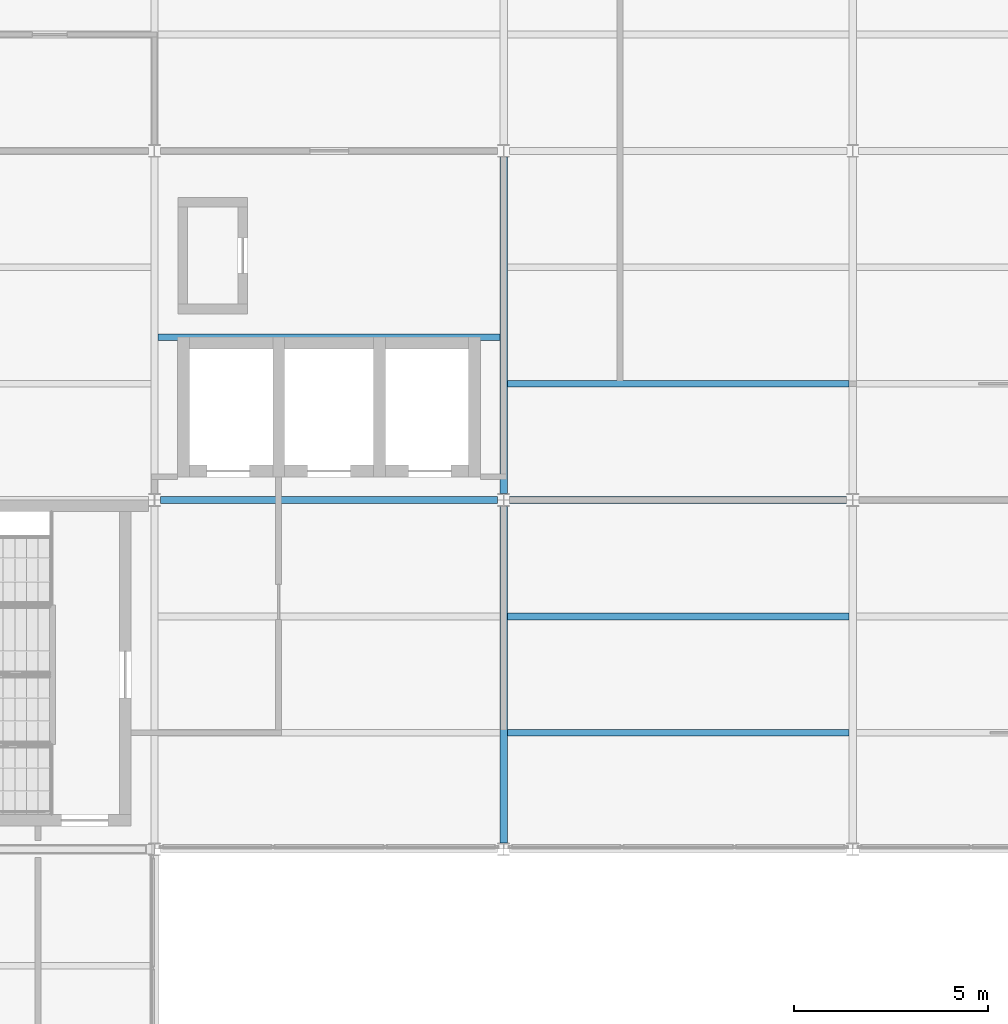
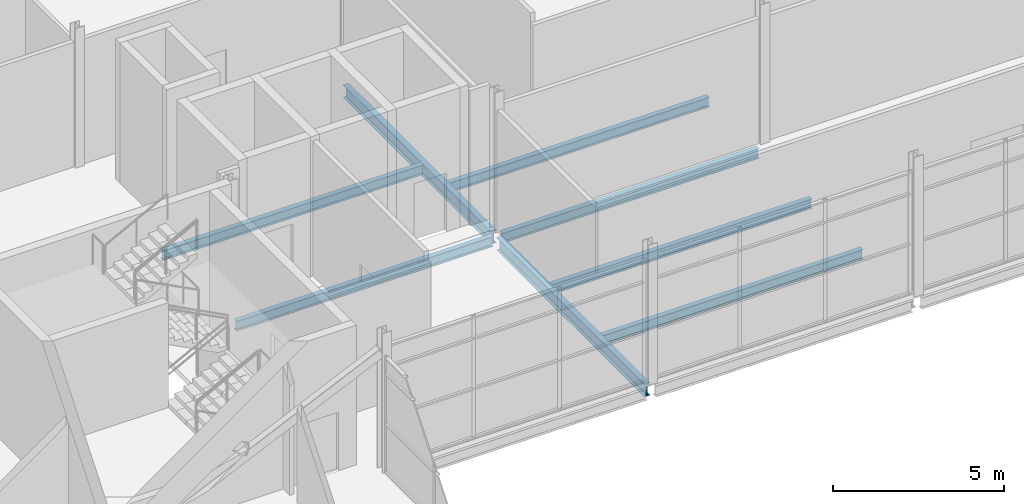
# One storey, part 45 of 112: 8 beams.
"""IFC4 building model written with IfcOpenShell, lengths in metres."""

from ifc_helpers import new_model, si_unit, direction, frame, origin, origin_2d, place, context, subcontext, project, spatial, i_section, extrude, material, material_profile, profile_set, type_object, element, save


model = new_model("IFC4")

# Units and contexts
model_context = context("Model", 3, precision=1e-05, world=origin(), true_north=direction((0.0, 1.0)))
body_context = subcontext(model_context, "Body", "Model", "MODEL_VIEW")
ifc_project = project(units=[si_unit("LENGTHUNIT", "METRE"), si_unit("AREAUNIT", "SQUARE_METRE"), si_unit("VOLUMEUNIT", "CUBIC_METRE"), si_unit("PLANEANGLEUNIT", "RADIAN"), si_unit("MASSUNIT", "GRAM", prefix="KILO")], contexts=[model_context])

# Site, building, storey
site_placement = place(None, origin())
site = spatial("IfcSite", under=ifc_project, at=site_placement, CompositionType="ELEMENT")
building_placement = place(site_placement, origin())
building = spatial("IfcBuilding", under=site, at=building_placement, Name="Shorebreak Coast Museum", CompositionType="ELEMENT")
storey_placement = place(building_placement, frame((0.0, 0.0, 6.0)))
storey = spatial("IfcBuildingStorey", under=building, at=storey_placement, Name="L01", CompositionType="ELEMENT", Elevation=6.0)

# Beams
ifc_material_1 = material(Name="Steel Grade 300", Category="steel")
ifc_material_profile_1 = material_profile(ifc_material_1, i_section(OverallWidth=0.172119140625, OverallDepth=0.358642578125, WebThickness=0.008056640625, FlangeThickness=0.012939453125, FilletRadius=0.011474609375, at=origin_2d()), Name="360UB56.7")
ifc_profile_set_1 = profile_set([ifc_material_profile_1], Name="Steel Grade 300")
beam_type_1 = type_object("IfcBeamType", Name="Floor girder east-west 360UB56.7", PredefinedType="BEAM", material=ifc_profile_set_1)
for number, where, z_axis, x_axis, name in (
    (1, (63.155517578125, 90.0, -0.354248046875), (1.0, 0.0, 0.0), (0.0, 1.0, 0.0), "Floor girder east-west L01 8L"),
    (2, (72.155517578125, 90.0, -0.354248046875), (1.0, 0.0, 0.0), (0.0, 1.0, 0.0), "Floor girder east-west L01 9L"),
):
    element("IfcBeam", number, at=place(storey_placement, frame(where, z_axis=z_axis, x_axis=x_axis)), inside=storey, type_object=beam_type_1, Name=name, PredefinedType="BEAM", context=body_context, shape_type="SweptSolid", body=[
        extrude(i_section(OverallWidth=0.172119140625, OverallDepth=0.358642578125, WebThickness=0.008056640625, FlangeThickness=0.012939453125, FilletRadius=0.011474609375, at=origin_2d()), origin(), (0.0, 0.0, 1.0), 8.68896484375),
    ])
ifc_material_2 = material(Name="Steel Grade 300", Category="steel")
ifc_material_profile_2 = material_profile(ifc_material_2, i_section(OverallWidth=0.19091796875, OverallDepth=0.46044921875, WebThickness=0.010009765625, FlangeThickness=0.01611328125, FilletRadius=0.011474609375, at=origin_2d()), Name="460UB82.1")
ifc_profile_set_2 = profile_set([ifc_material_profile_2], Name="Steel Grade 300")
beam_type_2 = type_object("IfcBeamType", Name="Floor girder north-south 460UB82.1", PredefinedType="BEAM", material=ifc_profile_set_2)
beam_1_placement = place(storey_placement, frame((72.0, 81.16357421875, -0.4052734375), z_axis=(0.0, 1.0, 0.0), x_axis=(-1.0, 0.0, 0.0)))
element("IfcBeam", 3, at=beam_1_placement, inside=storey, type_object=beam_type_2, Name="Floor girder north-south L01 9K", PredefinedType="BEAM", context=body_context, shape_type="SweptSolid", body=[
    extrude(i_section(OverallWidth=0.19091796875, OverallDepth=0.46044921875, WebThickness=0.010009765625, FlangeThickness=0.01611328125, FilletRadius=0.011474609375, at=origin_2d()), origin(), (0.0, 0.0, 1.0), 8.6728515625),
])
beam_2_placement = place(storey_placement, frame((72.0, 90.16357421875, -0.4052734375), z_axis=(0.0, 1.0, 0.0), x_axis=(-1.0, 0.0, 0.0)))
element("IfcBeam", 4, at=beam_2_placement, inside=storey, type_object=beam_type_2, Name="Floor girder north-south L01 9L", PredefinedType="BEAM", context=body_context, shape_type="SweptSolid", body=[
    extrude(i_section(OverallWidth=0.19091796875, OverallDepth=0.46044921875, WebThickness=0.010009765625, FlangeThickness=0.01611328125, FilletRadius=0.011474609375, at=origin_2d()), origin(), (0.0, 0.0, 1.0), 8.676025390625),
])
ifc_material_3 = material(Name="Steel Grade 300", Category="steel")
ifc_material_profile_3 = material_profile(ifc_material_3, i_section(OverallWidth=0.1708984375, OverallDepth=0.35205078125, WebThickness=0.0068359375, FlangeThickness=0.009765625, FilletRadius=0.011474609375, at=origin_2d()), Name="360UB44.7")
ifc_profile_set_3 = profile_set([ifc_material_profile_3], Name="Steel Grade 300")
beam_type_3 = type_object("IfcBeamType", Name="Floor joist 360UB44.7", PredefinedType="JOIST", material=ifc_profile_set_3)
for number, where, z_axis, x_axis, name in (
    (5, (72.095458984375, 84.0, -0.35107421875), (1.0, 0.0, 0.0), (0.0, 1.0, 0.0), "Floor joist L01 bay 9K at 3000 mm"),
    (6, (72.095458984375, 87.0, -0.35107421875), (1.0, 0.0, 0.0), (0.0, 1.0, 0.0), "Floor joist L01 bay 9K at 6000 mm"),
    (7, (63.095458984375, 94.199951171875, -0.35107421875), (1.0, 0.0, 0.0), (0.0, 1.0, 0.0), "Floor joist L01 bay 8L at 4200 mm"),
    (8, (72.095458984375, 93.0, -0.35107421875), (1.0, 0.0, 0.0), (0.0, 1.0, 0.0), "Floor joist L01 bay 9L at 3000 mm"),
):
    element("IfcBeam", number, at=place(storey_placement, frame(where, z_axis=z_axis, x_axis=x_axis)), inside=storey, type_object=beam_type_3, Name=name, PredefinedType="JOIST", context=body_context, shape_type="SweptSolid", body=[
        extrude(i_section(OverallWidth=0.1708984375, OverallDepth=0.35205078125, WebThickness=0.0068359375, FlangeThickness=0.009765625, FilletRadius=0.011474609375, at=origin_2d()), origin(), (0.0, 0.0, 1.0), 8.80908203125),
    ])

save(model, "model.ifc")
